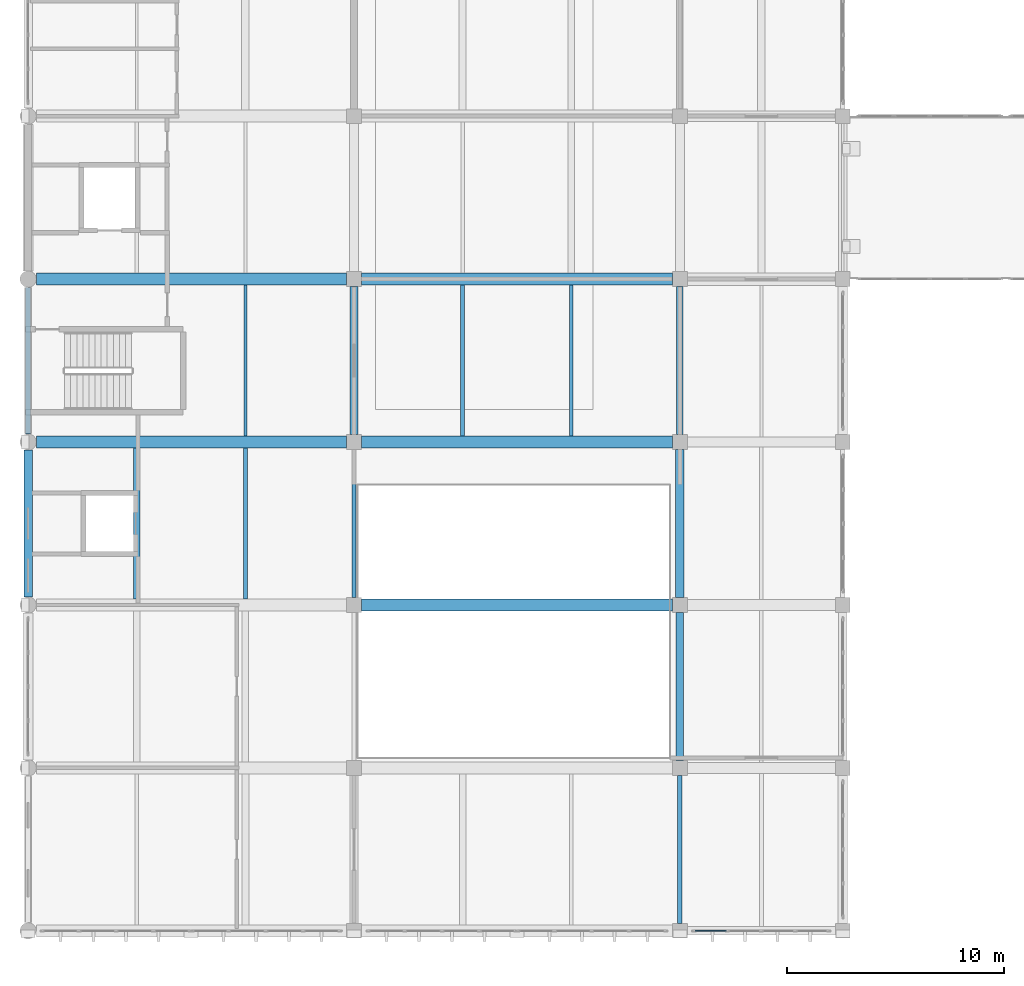
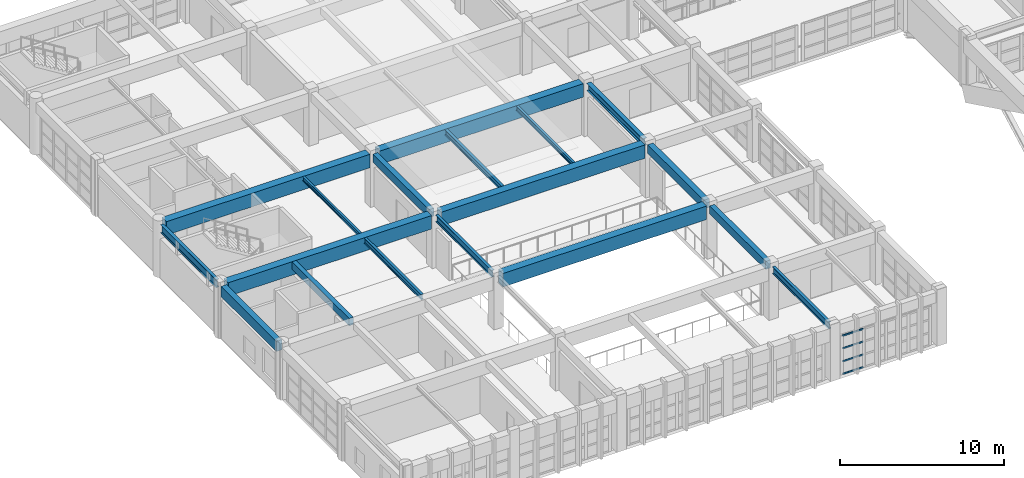
# One storey, part 7 of 132: 18 beams, 4 members, 1 element without a shape of its own.
"""IFC4 building model written with IfcOpenShell, lengths in metres."""

from ifc_helpers import new_model, si_unit, direction, frame, origin, origin_2d, place, context, subcontext, project, spatial, rectangle, hollow_rectangle, i_section, extrude, material, material_profile, profile_set, type_object, element, aggregate, save


model = new_model("IFC4")

# Units and contexts
model_context = context("Model", 3, precision=1e-05, world=origin(), true_north=direction((0.0, 1.0)))
body_context = subcontext(model_context, "Body", "Model", "MODEL_VIEW")
ifc_project = project(units=[si_unit("LENGTHUNIT", "METRE"), si_unit("AREAUNIT", "SQUARE_METRE"), si_unit("VOLUMEUNIT", "CUBIC_METRE"), si_unit("PLANEANGLEUNIT", "RADIAN"), si_unit("MASSUNIT", "GRAM", prefix="KILO")], contexts=[model_context])

# Site, building, storey
site_placement = place(None, origin())
site = spatial("IfcSite", under=ifc_project, at=site_placement, CompositionType="ELEMENT")
building_placement = place(site_placement, origin())
building = spatial("IfcBuilding", under=site, at=building_placement, Name="Qasida Concert Hall", CompositionType="ELEMENT")
storey_placement = place(building_placement, frame((0.0, 0.0, 4.800048828125)))
storey = spatial("IfcBuildingStorey", under=building, at=storey_placement, Name="L01", CompositionType="ELEMENT", Elevation=4.800048828125)

# Beams
ifc_material_1 = material(Name="Concrete C40/50", Category="concrete")
ifc_material_profile_1 = material_profile(ifc_material_1, rectangle(XDim=0.39990234375, YDim=0.64990234375, at=origin_2d()), Name="RC 400x650")
ifc_profile_set_1 = profile_set([ifc_material_profile_1], Name="Concrete C40/50")
beam_type_1 = type_object("IfcBeamType", Name="BM-B1", PredefinedType="BEAM", material=ifc_profile_set_1)
beam_1_placement = place(storey_placement, frame((30.0, 15.340087890625, 3.594970703125), z_axis=(0.0, 1.0, 0.0), x_axis=(-1.0, 0.0, 0.0)))
element("IfcBeam", 1, at=beam_1_placement, inside=storey, type_object=beam_type_1, Name="L01 girder 0936", PredefinedType="BEAM", context=body_context, shape_type="SweptSolid", body=[
    extrude(rectangle(XDim=0.39990234375, YDim=0.64990234375, at=origin_2d()), origin(), (0.0, 0.0, 1.0), 6.81982421875),
])
ifc_material_2 = material(Name="Steel S355J2", Category="steel")
ifc_material_profile_2 = material_profile(ifc_material_2, i_section(OverallWidth=0.300048828125, OverallDepth=0.550048828125, WebThickness=0.014892578125, FlangeThickness=0.029052734375, FilletRadius=0.027099609375, at=origin_2d()), Name="HEB 550")
ifc_profile_set_2 = profile_set([ifc_material_profile_2], Name="Steel S355J2")
beam_type_2 = type_object("IfcBeamType", Name="BM-B12", PredefinedType="BEAM", material=ifc_profile_set_2)
beam_2_placement = place(storey_placement, frame((30.0, 22.840087890625, 3.64501953125), z_axis=(0.0, 1.0, 0.0), x_axis=(-1.0, 0.0, 0.0)))
element("IfcBeam", 2, at=beam_2_placement, inside=storey, type_object=beam_type_2, Name="L01 girder 0937", PredefinedType="BEAM", context=body_context, shape_type="SweptSolid", body=[
    extrude(i_section(OverallWidth=0.300048828125, OverallDepth=0.550048828125, WebThickness=0.014892578125, FlangeThickness=0.029052734375, FilletRadius=0.027099609375, at=origin_2d()), origin(), (0.0, 0.0, 1.0), 6.81982421875),
])
ifc_material_profile_3 = material_profile(ifc_material_1, rectangle(XDim=0.35009765625, YDim=0.60009765625, at=origin_2d()), Name="RC 350x600")
ifc_profile_set_3 = profile_set([ifc_material_profile_3], Name="Concrete C40/50")
beam_type_3 = type_object("IfcBeamType", Name="BM-B2", PredefinedType="BEAM", material=ifc_profile_set_3)
for number, where, z_axis, x_axis, name in (
    (3, (15.0, 22.840087890625, 3.619873046875), (0.0, 1.0, 0.0), (-1.0, 0.0, 0.0), "L01 girder 0930"),
    (4, (30.0, 7.840087890625, 3.619873046875), (0.0, 1.0, 0.0), (-1.0, 0.0, 0.0), "L01 girder 0935"),
):
    element("IfcBeam", number, at=place(storey_placement, frame(where, z_axis=z_axis, x_axis=x_axis)), inside=storey, type_object=beam_type_3, Name=name, PredefinedType="BEAM", context=body_context, shape_type="SweptSolid", body=[
        extrude(rectangle(XDim=0.35009765625, YDim=0.60009765625, at=origin_2d()), origin(), (0.0, 0.0, 1.0), 6.81982421875),
    ])
ifc_material_profile_4 = material_profile(ifc_material_2, i_section(OverallWidth=0.199951171875, OverallDepth=0.5, WebThickness=0.01025390625, FlangeThickness=0.01611328125, FilletRadius=0.02099609375, at=origin_2d()), Name="IPE 500")
ifc_profile_set_4 = profile_set([ifc_material_profile_4], Name="Steel S355J2")
beam_type_4 = type_object("IfcBeamType", Name="BM-B4", PredefinedType="BEAM", material=ifc_profile_set_4)
for number, where, z_axis, x_axis, name in (
    (5, (15.0, 15.340087890625, 3.669921875), (0.0, 1.0, 0.0), (-1.0, 0.0, 0.0), "L01 girder 0929"),
    (6, (30.0, 0.340087890625, 3.669921875), (0.0, 1.0, 0.0), (-1.0, 0.0, 0.0), "L01 girder 0934"),
):
    element("IfcBeam", number, at=place(storey_placement, frame(where, z_axis=z_axis, x_axis=x_axis)), inside=storey, type_object=beam_type_4, Name=name, PredefinedType="BEAM", context=body_context, shape_type="SweptSolid", body=[
        extrude(i_section(OverallWidth=0.199951171875, OverallDepth=0.5, WebThickness=0.01025390625, FlangeThickness=0.01611328125, FilletRadius=0.02099609375, at=origin_2d()), origin(), (0.0, 0.0, 1.0), 6.81982421875),
    ])
ifc_material_profile_5 = material_profile(ifc_material_1, rectangle(XDim=0.550048828125, YDim=1.0, at=origin_2d()), Name="RC 550x1000")
ifc_profile_set_5 = profile_set([ifc_material_profile_5], Name="Concrete C40/50")
beam_type_5 = type_object("IfcBeamType", Name="BM-G3", PredefinedType="USERDEFINED", material=ifc_profile_set_5)
beam_3_placement = place(storey_placement, frame((15.340087890625, 15.0, 3.419921875), z_axis=(1.0, 0.0, 0.0), x_axis=(0.0, 1.0, 0.0)))
element("IfcBeam", 7, at=beam_3_placement, inside=storey, type_object=beam_type_5, Name="Primary girder 0903", ObjectType="GIRDER", PredefinedType="USERDEFINED", context=body_context, shape_type="SweptSolid", body=[
    extrude(rectangle(XDim=0.550048828125, YDim=1.0, at=origin_2d()), origin(), (0.0, 0.0, 1.0), 14.31982421875),
])
beam_4_placement = place(storey_placement, frame((0.375, 22.5, 3.419921875), z_axis=(1.0, 0.0, 0.0), x_axis=(0.0, 1.0, 0.0)))
element("IfcBeam", 8, at=beam_4_placement, inside=storey, type_object=beam_type_5, Name="Primary girder 0905", ObjectType="GIRDER", PredefinedType="USERDEFINED", context=body_context, shape_type="SweptSolid", body=[
    extrude(rectangle(XDim=0.550048828125, YDim=1.0, at=origin_2d()), origin(), (0.0, 0.0, 1.0), 14.284912109375),
])
beam_5_placement = place(storey_placement, frame((15.340087890625, 22.5, 3.419921875), z_axis=(1.0, 0.0, 0.0), x_axis=(0.0, 1.0, 0.0)))
element("IfcBeam", 9, at=beam_5_placement, inside=storey, type_object=beam_type_5, Name="Primary girder 0906", ObjectType="GIRDER", PredefinedType="USERDEFINED", context=body_context, shape_type="SweptSolid", body=[
    extrude(rectangle(XDim=0.550048828125, YDim=1.0, at=origin_2d()), origin(), (0.0, 0.0, 1.0), 14.31982421875),
])
beam_6_placement = place(storey_placement, frame((0.375, 30.0, 3.419921875), z_axis=(1.0, 0.0, 0.0), x_axis=(0.0, 1.0, 0.0)))
element("IfcBeam", 10, at=beam_6_placement, inside=storey, type_object=beam_type_5, Name="Primary girder 0908", ObjectType="GIRDER", PredefinedType="USERDEFINED", context=body_context, shape_type="SweptSolid", body=[
    extrude(rectangle(XDim=0.550048828125, YDim=1.0, at=origin_2d()), origin(), (0.0, 0.0, 1.0), 14.284912109375),
])
beam_7_placement = place(storey_placement, frame((15.340087890625, 30.0, 3.419921875), z_axis=(1.0, 0.0, 0.0), x_axis=(0.0, 1.0, 0.0)))
element("IfcBeam", 11, at=beam_7_placement, inside=storey, type_object=beam_type_5, Name="Primary girder 0909", ObjectType="GIRDER", PredefinedType="USERDEFINED", context=body_context, shape_type="SweptSolid", body=[
    extrude(rectangle(XDim=0.550048828125, YDim=1.0, at=origin_2d()), origin(), (0.0, 0.0, 1.0), 14.31982421875),
])
ifc_material_profile_6 = material_profile(ifc_material_1, rectangle(XDim=0.300048828125, YDim=0.550048828125, at=origin_2d()), Name="RC 300x550")
ifc_profile_set_6 = profile_set([ifc_material_profile_6], Name="Concrete C40/50")
beam_type_6 = type_object("IfcBeamType", Name="BM-J1", PredefinedType="JOIST", material=ifc_profile_set_6)
beam_8_placement = place(storey_placement, frame((5.0, 15.27490234375, 3.64501953125), z_axis=(0.0, 1.0, 0.0), x_axis=(-1.0, 0.0, 0.0)))
element("IfcBeam", 12, at=beam_8_placement, inside=storey, type_object=beam_type_6, Name="L01 secondary joist 0952", PredefinedType="JOIST", context=body_context, shape_type="SweptSolid", body=[
    extrude(rectangle(XDim=0.300048828125, YDim=0.550048828125, at=origin_2d()), origin(), (0.0, 0.0, 1.0), 6.9501953125),
])
ifc_material_profile_7 = material_profile(ifc_material_2, i_section(OverallWidth=0.179931640625, OverallDepth=0.39990234375, WebThickness=0.008544921875, FlangeThickness=0.013427734375, FilletRadius=0.02099609375, at=origin_2d()), Name="IPE 400")
ifc_profile_set_7 = profile_set([ifc_material_profile_7], Name="Steel S355J2")
beam_type_7 = type_object("IfcBeamType", Name="BM-J3", PredefinedType="JOIST", material=ifc_profile_set_7)
for number, where, z_axis, x_axis, name in (
    (13, (10.0, 15.27490234375, 3.719970703125), (0.0, 1.0, 0.0), (-1.0, 0.0, 0.0), "L01 secondary joist 0953"),
    (14, (20.0, 22.77490234375, 3.719970703125), (0.0, 1.0, 0.0), (-1.0, 0.0, 0.0), "L01 secondary joist 0962"),
):
    element("IfcBeam", number, at=place(storey_placement, frame(where, z_axis=z_axis, x_axis=x_axis)), inside=storey, type_object=beam_type_7, Name=name, PredefinedType="JOIST", context=body_context, shape_type="SweptSolid", body=[
        extrude(i_section(OverallWidth=0.179931640625, OverallDepth=0.39990234375, WebThickness=0.008544921875, FlangeThickness=0.013427734375, FilletRadius=0.02099609375, at=origin_2d()), origin(), (0.0, 0.0, 1.0), 6.9501953125),
    ])
ifc_material_profile_8 = material_profile(ifc_material_2, i_section(OverallWidth=0.14990234375, OverallDepth=0.300048828125, WebThickness=0.007080078125, FlangeThickness=0.0107421875, FilletRadius=0.014892578125, at=origin_2d()), Name="IPE 300")
ifc_profile_set_8 = profile_set([ifc_material_profile_8], Name="Steel S355J2")
beam_type_8 = type_object("IfcBeamType", Name="BM-J4", PredefinedType="JOIST", material=ifc_profile_set_8)
beam_9_placement = place(storey_placement, frame((10.0, 22.77490234375, 3.77001953125), z_axis=(0.0, 1.0, 0.0), x_axis=(-1.0, 0.0, 0.0)))
element("IfcBeam", 15, at=beam_9_placement, inside=storey, type_object=beam_type_8, Name="L01 secondary joist 0954", PredefinedType="JOIST", context=body_context, shape_type="SweptSolid", body=[
    extrude(i_section(OverallWidth=0.14990234375, OverallDepth=0.300048828125, WebThickness=0.007080078125, FlangeThickness=0.0107421875, FilletRadius=0.014892578125, at=origin_2d()), origin(), (0.0, 0.0, 1.0), 6.9501953125),
])
ifc_material_profile_9 = material_profile(ifc_material_2, i_section(OverallWidth=0.159912109375, OverallDepth=0.330078125, WebThickness=0.007568359375, FlangeThickness=0.011474609375, FilletRadius=0.01806640625, at=origin_2d()), Name="IPE 330")
ifc_profile_set_9 = profile_set([ifc_material_profile_9], Name="Steel S355J2")
beam_type_9 = type_object("IfcBeamType", Name="BM-J5", PredefinedType="JOIST", material=ifc_profile_set_9)
beam_10_placement = place(storey_placement, frame((25.0, 22.77490234375, 3.7548828125), z_axis=(0.0, 1.0, 0.0), x_axis=(-1.0, 0.0, 0.0)))
element("IfcBeam", 16, at=beam_10_placement, inside=storey, type_object=beam_type_9, Name="L01 secondary joist 0963", PredefinedType="JOIST", context=body_context, shape_type="SweptSolid", body=[
    extrude(i_section(OverallWidth=0.159912109375, OverallDepth=0.330078125, WebThickness=0.007568359375, FlangeThickness=0.011474609375, FilletRadius=0.01806640625, at=origin_2d()), origin(), (0.0, 0.0, 1.0), 6.9501953125),
])
ifc_material_profile_10 = material_profile(ifc_material_1, rectangle(XDim=0.39990234375, YDim=0.75, at=origin_2d()), Name="RC 400x750")
ifc_profile_set_10 = profile_set([ifc_material_profile_10], Name="Concrete C40/50")
beam_type_10 = type_object("IfcBeamType", Name="BM-SP1", PredefinedType="SPANDREL", material=ifc_profile_set_10)
beam_11_placement = place(storey_placement, frame((0.0, 15.375, 3.544921875), z_axis=(0.0, 1.0, 0.0), x_axis=(-1.0, 0.0, 0.0)))
element("IfcBeam", 17, at=beam_11_placement, inside=storey, type_object=beam_type_10, Name="L01 girder 0922", PredefinedType="SPANDREL", context=body_context, shape_type="SweptSolid", body=[
    extrude(rectangle(XDim=0.39990234375, YDim=0.75, at=origin_2d()), origin(), (0.0, 0.0, 1.0), 6.75),
])
ifc_material_profile_11 = material_profile(ifc_material_2, i_section(OverallWidth=0.219970703125, OverallDepth=0.60009765625, WebThickness=0.011962890625, FlangeThickness=0.01904296875, FilletRadius=0.02392578125, at=origin_2d()), Name="IPE 600")
ifc_profile_set_11 = profile_set([ifc_material_profile_11], Name="Steel S355J2")
beam_type_11 = type_object("IfcBeamType", Name="BM-SP3", PredefinedType="SPANDREL", material=ifc_profile_set_11)
beam_12_placement = place(storey_placement, frame((0.0, 22.875, 3.619873046875), z_axis=(0.0, 1.0, 0.0), x_axis=(-1.0, 0.0, 0.0)))
element("IfcBeam", 18, at=beam_12_placement, inside=storey, type_object=beam_type_11, Name="L01 girder 0923", PredefinedType="SPANDREL", context=body_context, shape_type="SweptSolid", body=[
    extrude(i_section(OverallWidth=0.219970703125, OverallDepth=0.60009765625, WebThickness=0.011962890625, FlangeThickness=0.01904296875, FilletRadius=0.02392578125, at=origin_2d()), origin(), (0.0, 0.0, 1.0), 6.75),
])

# Curtain wall, members
ifc_material_3 = material(Name="Architectural bronze-anodized aluminium and low-E glass", Category="aluminium")
curtain_wall_type = type_object("IfcCurtainWallType", Name="CW-07", PredefinedType="NOTDEFINED", material=ifc_material_3)
curtain_wall_placement = place(storey_placement, origin())
curtain_wall = element("IfcCurtainWall", 19, at=curtain_wall_placement, inside=storey, type_object=curtain_wall_type, Name="L01 curtain wall CW-07 0089", PredefinedType="NOTDEFINED")
ifc_material_4 = material(Name="Architectural bronze-anodized aluminium EN AW-6063", Category="aluminium")
ifc_material_profile_12 = material_profile(ifc_material_4, hollow_rectangle(XDim=0.06005859375, YDim=0.1201171875, WallThickness=0.00390625, InnerFilletRadius=0.00390625, OuterFilletRadius=0.008056640625, at=origin_2d()), Name="CWT 120x60x4")
ifc_profile_set_12 = profile_set([ifc_material_profile_12], Name="Architectural bronze-anodized aluminium EN AW-6063")
member_type = type_object("IfcMemberType", Name="MB-CWT-2", PredefinedType="USERDEFINED", material=ifc_profile_set_12)
member_1_placement = place(storey_placement, frame((30.68505859375, 0.0, 0.030029296875), z_axis=(1.0, 0.0, 0.0), x_axis=(0.0, 1.0, 0.0)))
member_1 = element("IfcMember", 20, at=member_1_placement, type_object=member_type, Name="CW-07 transom 1.1", ObjectType="TRANSOM", PredefinedType="USERDEFINED", context=body_context, shape_type="SweptSolid", body=[
    extrude(hollow_rectangle(XDim=0.06005859375, YDim=0.1201171875, WallThickness=0.00390625, InnerFilletRadius=0.00390625, OuterFilletRadius=0.008056640625, at=origin_2d()), origin(), (0.0, 0.0, 1.0), 1.467529296875),
])
member_2_placement = place(storey_placement, frame((30.68505859375, 0.0, 0.963134765625), z_axis=(1.0, 0.0, 0.0), x_axis=(0.0, 1.0, 0.0)))
member_2 = element("IfcMember", 21, at=member_2_placement, type_object=member_type, Name="CW-07 transom 1.2", ObjectType="TRANSOM", PredefinedType="USERDEFINED", context=body_context, shape_type="SweptSolid", body=[
    extrude(hollow_rectangle(XDim=0.06005859375, YDim=0.1201171875, WallThickness=0.00390625, InnerFilletRadius=0.00390625, OuterFilletRadius=0.008056640625, at=origin_2d()), origin(), (0.0, 0.0, 1.0), 1.467529296875),
])
member_3_placement = place(storey_placement, frame((30.68505859375, 0.0, 1.9267578125), z_axis=(1.0, 0.0, 0.0), x_axis=(0.0, 1.0, 0.0)))
member_3 = element("IfcMember", 22, at=member_3_placement, type_object=member_type, Name="CW-07 transom 1.3", ObjectType="TRANSOM", PredefinedType="USERDEFINED", context=body_context, shape_type="SweptSolid", body=[
    extrude(hollow_rectangle(XDim=0.06005859375, YDim=0.1201171875, WallThickness=0.00390625, InnerFilletRadius=0.00390625, OuterFilletRadius=0.008056640625, at=origin_2d()), origin(), (0.0, 0.0, 1.0), 1.467529296875),
])
member_4_placement = place(storey_placement, frame((30.68505859375, 0.0, 2.85986328125), z_axis=(1.0, 0.0, 0.0), x_axis=(0.0, 1.0, 0.0)))
member_4 = element("IfcMember", 23, at=member_4_placement, type_object=member_type, Name="CW-07 transom 1.4", ObjectType="TRANSOM", PredefinedType="USERDEFINED", context=body_context, shape_type="SweptSolid", body=[
    extrude(hollow_rectangle(XDim=0.06005859375, YDim=0.1201171875, WallThickness=0.00390625, InnerFilletRadius=0.00390625, OuterFilletRadius=0.008056640625, at=origin_2d()), origin(), (0.0, 0.0, 1.0), 1.467529296875),
])
aggregate(curtain_wall, [member_1, member_2, member_3, member_4])

save(model, "model.ifc")
